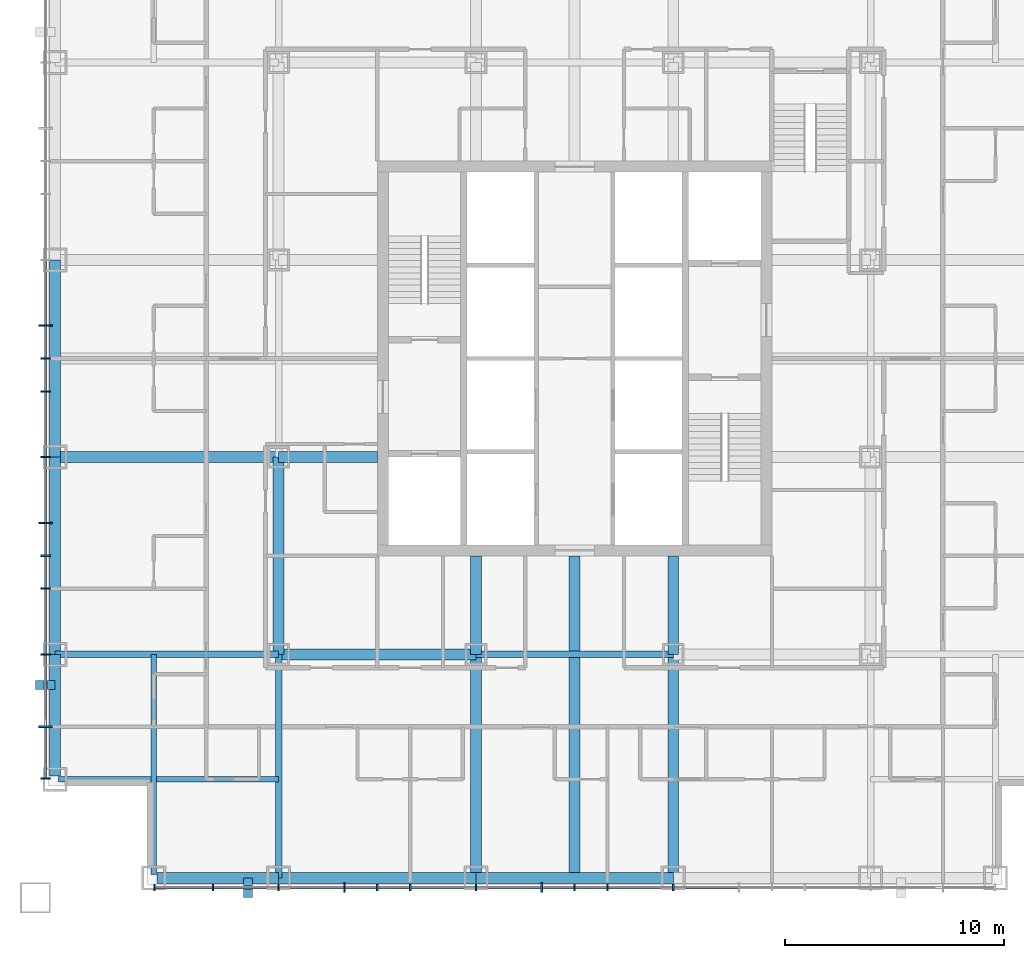
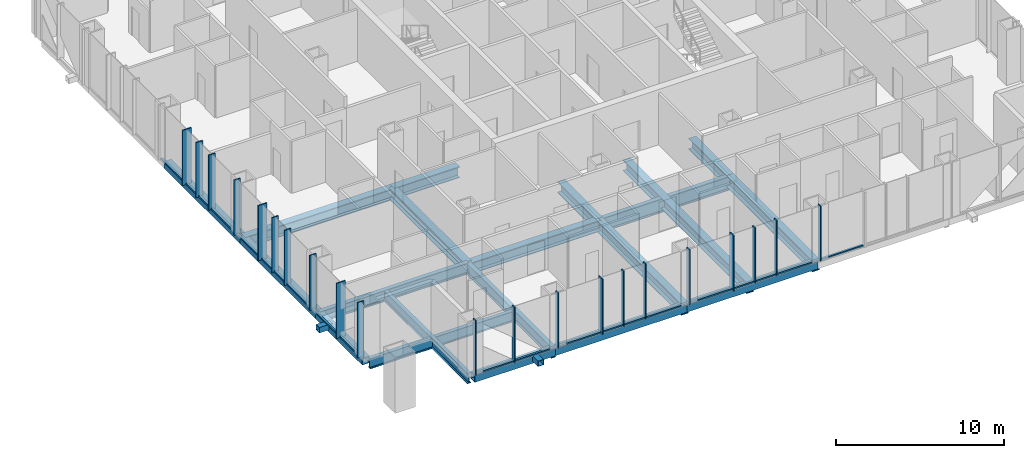
# One storey, part 2 of 18: 44 members, 20 beams, 2 elements without a shape of their own.
"""IFC4 building model written with IfcOpenShell, lengths in metres."""

from ifc_helpers import new_model, si_unit, direction, frame, origin, origin_2d, place, context, subcontext, project, spatial, rectangle, hollow_rectangle, i_section, extrude, material, layer, layer_set, material_profile, profile_set, type_object, element, aggregate, save


model = new_model("IFC4")

# Units and contexts
model_context = context("Model", 3, precision=1e-05, world=origin(), true_north=direction((0.0, 1.0)))
body_context = subcontext(model_context, "Body", "Model", "MODEL_VIEW")
ifc_project = project(units=[si_unit("LENGTHUNIT", "METRE"), si_unit("AREAUNIT", "SQUARE_METRE"), si_unit("VOLUMEUNIT", "CUBIC_METRE"), si_unit("PLANEANGLEUNIT", "RADIAN"), si_unit("MASSUNIT", "GRAM", prefix="KILO")], contexts=[model_context])

# Site, building, storey
site_placement = place(None, origin())
site = spatial("IfcSite", under=ifc_project, at=site_placement, CompositionType="ELEMENT")
building_placement = place(site_placement, origin())
building = spatial("IfcBuilding", under=site, at=building_placement, Name="Malebo Sky Hospital", CompositionType="ELEMENT")
storey_placement = place(building_placement, frame((0.0, 0.0, 132.0)))
storey = spatial("IfcBuildingStorey", under=building, at=storey_placement, Name="L31", CompositionType="ELEMENT", Elevation=132.0)

# Curtain wall, members
ifc_material_1 = material(Name="Anodised aluminium, natural silver", Category="aluminium")
ifc_layer_1 = layer(ifc_material_1, 0.25)
ifc_layer_set_1 = layer_set([ifc_layer_1], Name="WARD CURTAIN WALL EAST AND WEST")
curtain_wall_type_1 = type_object("IfcCurtainWallType", Name="WARD CURTAIN WALL EAST AND WEST", PredefinedType="NOTDEFINED", material=ifc_layer_set_1)
curtain_wall_1_placement = place(storey_placement, origin())
curtain_wall_1 = element("IfcCurtainWall", 1, at=curtain_wall_1_placement, inside=storey, type_object=curtain_wall_type_1, Name="EW curtain wall W", PredefinedType="NOTDEFINED")
ifc_material_profile_1 = material_profile(ifc_material_1, rectangle(XDim=0.14990234375, YDim=0.10009765625, at=origin_2d()), Name="ALUMINIUM TRANSOM 150x100")
ifc_profile_set_1 = profile_set([ifc_material_profile_1], Name="Anodised aluminium, natural silver")
member_type_1 = type_object("IfcMemberType", Name="ALUMINIUM TRANSOM 150x100", PredefinedType="USERDEFINED", material=ifc_profile_set_1)
member_1_placement = place(storey_placement, frame((35.864990234375, 42.875, 0.050048828125), z_axis=(0.0, 1.0, 0.0), x_axis=(-1.0, 0.0, 0.0)))
member_1 = element("IfcMember", 2, at=member_1_placement, type_object=member_type_1, Name="Transom 1", ObjectType="TRANSOM", PredefinedType="USERDEFINED", context=body_context, shape_type="SweptSolid", body=[
    extrude(rectangle(XDim=0.14990234375, YDim=0.10009765625, at=origin_2d()), origin(), (0.0, 0.0, 1.0), 2.28759765625),
])
member_2_placement = place(storey_placement, frame((35.864990234375, 45.237548828125, 0.050048828125), z_axis=(0.0, 1.0, 0.0), x_axis=(-1.0, 0.0, 0.0)))
member_2 = element("IfcMember", 3, at=member_2_placement, type_object=member_type_1, Name="Transom 2", ObjectType="TRANSOM", PredefinedType="USERDEFINED", context=body_context, shape_type="SweptSolid", body=[
    extrude(rectangle(XDim=0.14990234375, YDim=0.10009765625, at=origin_2d()), origin(), (0.0, 0.0, 1.0), 3.224853515625),
])
member_3_placement = place(storey_placement, frame((35.864990234375, 48.53759765625, 0.050048828125), z_axis=(0.0, 1.0, 0.0), x_axis=(-1.0, 0.0, 0.0)))
member_3 = element("IfcMember", 4, at=member_3_placement, type_object=member_type_1, Name="Transom 3", ObjectType="TRANSOM", PredefinedType="USERDEFINED", context=body_context, shape_type="SweptSolid", body=[
    extrude(rectangle(XDim=0.14990234375, YDim=0.10009765625, at=origin_2d()), origin(), (0.0, 0.0, 1.0), 2.9248046875),
])
member_4_placement = place(storey_placement, frame((35.864990234375, 51.53759765625, 0.050048828125), z_axis=(0.0, 1.0, 0.0), x_axis=(-1.0, 0.0, 0.0)))
member_4 = element("IfcMember", 5, at=member_4_placement, type_object=member_type_1, Name="Transom 4", ObjectType="TRANSOM", PredefinedType="USERDEFINED", context=body_context, shape_type="SweptSolid", body=[
    extrude(rectangle(XDim=0.14990234375, YDim=0.10009765625, at=origin_2d()), origin(), (0.0, 0.0, 1.0), 1.4248046875),
])
member_5_placement = place(storey_placement, frame((35.864990234375, 53.03759765625, 0.050048828125), z_axis=(0.0, 1.0, 0.0), x_axis=(-1.0, 0.0, 0.0)))
member_5 = element("IfcMember", 6, at=member_5_placement, type_object=member_type_1, Name="Transom 5", ObjectType="TRANSOM", PredefinedType="USERDEFINED", context=body_context, shape_type="SweptSolid", body=[
    extrude(rectangle(XDim=0.14990234375, YDim=0.10009765625, at=origin_2d()), origin(), (0.0, 0.0, 1.0), 1.4248046875),
])
member_6_placement = place(storey_placement, frame((35.864990234375, 54.53759765625, 0.050048828125), z_axis=(0.0, 1.0, 0.0), x_axis=(-1.0, 0.0, 0.0)))
member_6 = element("IfcMember", 7, at=member_6_placement, type_object=member_type_1, Name="Transom 6", ObjectType="TRANSOM", PredefinedType="USERDEFINED", context=body_context, shape_type="SweptSolid", body=[
    extrude(rectangle(XDim=0.14990234375, YDim=0.10009765625, at=origin_2d()), origin(), (0.0, 0.0, 1.0), 2.9248046875),
])
member_7_placement = place(storey_placement, frame((35.864990234375, 57.53759765625, 0.050048828125), z_axis=(0.0, 1.0, 0.0), x_axis=(-1.0, 0.0, 0.0)))
member_7 = element("IfcMember", 8, at=member_7_placement, type_object=member_type_1, Name="Transom 7", ObjectType="TRANSOM", PredefinedType="USERDEFINED", context=body_context, shape_type="SweptSolid", body=[
    extrude(rectangle(XDim=0.14990234375, YDim=0.10009765625, at=origin_2d()), origin(), (0.0, 0.0, 1.0), 2.9248046875),
])
member_8_placement = place(storey_placement, frame((35.864990234375, 60.53759765625, 0.050048828125), z_axis=(0.0, 1.0, 0.0), x_axis=(-1.0, 0.0, 0.0)))
member_8 = element("IfcMember", 9, at=member_8_placement, type_object=member_type_1, Name="Transom 8", ObjectType="TRANSOM", PredefinedType="USERDEFINED", context=body_context, shape_type="SweptSolid", body=[
    extrude(rectangle(XDim=0.14990234375, YDim=0.10009765625, at=origin_2d()), origin(), (0.0, 0.0, 1.0), 1.4248046875),
])
member_9_placement = place(storey_placement, frame((35.864990234375, 62.03759765625, 0.050048828125), z_axis=(0.0, 1.0, 0.0), x_axis=(-1.0, 0.0, 0.0)))
member_9 = element("IfcMember", 10, at=member_9_placement, type_object=member_type_1, Name="Transom 9", ObjectType="TRANSOM", PredefinedType="USERDEFINED", context=body_context, shape_type="SweptSolid", body=[
    extrude(rectangle(XDim=0.14990234375, YDim=0.10009765625, at=origin_2d()), origin(), (0.0, 0.0, 1.0), 1.4248046875),
])
member_10_placement = place(storey_placement, frame((35.864990234375, 63.53759765625, 0.050048828125), z_axis=(0.0, 1.0, 0.0), x_axis=(-1.0, 0.0, 0.0)))
member_10 = element("IfcMember", 11, at=member_10_placement, type_object=member_type_1, Name="Transom 10", ObjectType="TRANSOM", PredefinedType="USERDEFINED", context=body_context, shape_type="SweptSolid", body=[
    extrude(rectangle(XDim=0.14990234375, YDim=0.10009765625, at=origin_2d()), origin(), (0.0, 0.0, 1.0), 2.9248046875),
])

ifc_layer_2 = layer(ifc_material_1, 0.25)
ifc_layer_set_2 = layer_set([ifc_layer_2], Name="WARD CURTAIN WALL NORTH AND SOUTH")
curtain_wall_type_2 = type_object("IfcCurtainWallType", Name="WARD CURTAIN WALL NORTH AND SOUTH", PredefinedType="NOTDEFINED", material=ifc_layer_set_2)
curtain_wall_2_placement = place(storey_placement, origin())
curtain_wall_2 = element("IfcCurtainWall", 12, at=curtain_wall_2_placement, inside=storey, type_object=curtain_wall_type_2, Name="NS curtain wall S", PredefinedType="NOTDEFINED")
member_11_placement = place(storey_placement, frame((67.46240234375, 37.864990234375, 0.050048828125), z_axis=(-1.0, 0.0, 0.0), x_axis=(0.0, -1.0, 0.0)))
member_11 = element("IfcMember", 13, at=member_11_placement, type_object=member_type_1, Name="Transom 6", ObjectType="TRANSOM", PredefinedType="USERDEFINED", context=body_context, shape_type="SweptSolid", body=[
    extrude(rectangle(XDim=0.14990234375, YDim=0.10009765625, at=origin_2d()), origin(), (0.0, 0.0, 1.0), 2.9248046875),
])
member_12_placement = place(storey_placement, frame((64.46240234375, 37.864990234375, 0.050048828125), z_axis=(-1.0, 0.0, 0.0), x_axis=(0.0, -1.0, 0.0)))
member_12 = element("IfcMember", 14, at=member_12_placement, type_object=member_type_1, Name="Transom 7", ObjectType="TRANSOM", PredefinedType="USERDEFINED", context=body_context, shape_type="SweptSolid", body=[
    extrude(rectangle(XDim=0.14990234375, YDim=0.10009765625, at=origin_2d()), origin(), (0.0, 0.0, 1.0), 2.9248046875),
])
member_13_placement = place(storey_placement, frame((61.46240234375, 37.864990234375, 0.050048828125), z_axis=(-1.0, 0.0, 0.0), x_axis=(0.0, -1.0, 0.0)))
member_13 = element("IfcMember", 15, at=member_13_placement, type_object=member_type_1, Name="Transom 8", ObjectType="TRANSOM", PredefinedType="USERDEFINED", context=body_context, shape_type="SweptSolid", body=[
    extrude(rectangle(XDim=0.14990234375, YDim=0.10009765625, at=origin_2d()), origin(), (0.0, 0.0, 1.0), 1.4248046875),
])
member_14_placement = place(storey_placement, frame((59.96240234375, 37.864990234375, 0.050048828125), z_axis=(-1.0, 0.0, 0.0), x_axis=(0.0, -1.0, 0.0)))
member_14 = element("IfcMember", 16, at=member_14_placement, type_object=member_type_1, Name="Transom 9", ObjectType="TRANSOM", PredefinedType="USERDEFINED", context=body_context, shape_type="SweptSolid", body=[
    extrude(rectangle(XDim=0.14990234375, YDim=0.10009765625, at=origin_2d()), origin(), (0.0, 0.0, 1.0), 1.4248046875),
])
member_15_placement = place(storey_placement, frame((58.46240234375, 37.864990234375, 0.050048828125), z_axis=(-1.0, 0.0, 0.0), x_axis=(0.0, -1.0, 0.0)))
member_15 = element("IfcMember", 17, at=member_15_placement, type_object=member_type_1, Name="Transom 10", ObjectType="TRANSOM", PredefinedType="USERDEFINED", context=body_context, shape_type="SweptSolid", body=[
    extrude(rectangle(XDim=0.14990234375, YDim=0.10009765625, at=origin_2d()), origin(), (0.0, 0.0, 1.0), 2.9248046875),
])
member_16_placement = place(storey_placement, frame((55.46240234375, 37.864990234375, 0.050048828125), z_axis=(-1.0, 0.0, 0.0), x_axis=(0.0, -1.0, 0.0)))
member_16 = element("IfcMember", 18, at=member_16_placement, type_object=member_type_1, Name="Transom 11", ObjectType="TRANSOM", PredefinedType="USERDEFINED", context=body_context, shape_type="SweptSolid", body=[
    extrude(rectangle(XDim=0.14990234375, YDim=0.10009765625, at=origin_2d()), origin(), (0.0, 0.0, 1.0), 2.9248046875),
])
member_17_placement = place(storey_placement, frame((52.46240234375, 37.864990234375, 0.050048828125), z_axis=(-1.0, 0.0, 0.0), x_axis=(0.0, -1.0, 0.0)))
member_17 = element("IfcMember", 19, at=member_17_placement, type_object=member_type_1, Name="Transom 12", ObjectType="TRANSOM", PredefinedType="USERDEFINED", context=body_context, shape_type="SweptSolid", body=[
    extrude(rectangle(XDim=0.14990234375, YDim=0.10009765625, at=origin_2d()), origin(), (0.0, 0.0, 1.0), 1.4248046875),
])
member_18_placement = place(storey_placement, frame((50.96240234375, 37.864990234375, 0.050048828125), z_axis=(-1.0, 0.0, 0.0), x_axis=(0.0, -1.0, 0.0)))
member_18 = element("IfcMember", 20, at=member_18_placement, type_object=member_type_1, Name="Transom 13", ObjectType="TRANSOM", PredefinedType="USERDEFINED", context=body_context, shape_type="SweptSolid", body=[
    extrude(rectangle(XDim=0.14990234375, YDim=0.10009765625, at=origin_2d()), origin(), (0.0, 0.0, 1.0), 1.4248046875),
])
member_19_placement = place(storey_placement, frame((49.46240234375, 37.864990234375, 0.050048828125), z_axis=(-1.0, 0.0, 0.0), x_axis=(0.0, -1.0, 0.0)))
member_19 = element("IfcMember", 21, at=member_19_placement, type_object=member_type_1, Name="Transom 14", ObjectType="TRANSOM", PredefinedType="USERDEFINED", context=body_context, shape_type="SweptSolid", body=[
    extrude(rectangle(XDim=0.14990234375, YDim=0.10009765625, at=origin_2d()), origin(), (0.0, 0.0, 1.0), 2.9248046875),
])
member_20_placement = place(storey_placement, frame((46.46240234375, 37.864990234375, 0.050048828125), z_axis=(-1.0, 0.0, 0.0), x_axis=(0.0, -1.0, 0.0)))
member_20 = element("IfcMember", 22, at=member_20_placement, type_object=member_type_1, Name="Transom 15", ObjectType="TRANSOM", PredefinedType="USERDEFINED", context=body_context, shape_type="SweptSolid", body=[
    extrude(rectangle(XDim=0.14990234375, YDim=0.10009765625, at=origin_2d()), origin(), (0.0, 0.0, 1.0), 2.9248046875),
])
member_21_placement = place(storey_placement, frame((43.46240234375, 37.864990234375, 0.050048828125), z_axis=(-1.0, 0.0, 0.0), x_axis=(0.0, -1.0, 0.0)))
member_21 = element("IfcMember", 23, at=member_21_placement, type_object=member_type_1, Name="Transom 16", ObjectType="TRANSOM", PredefinedType="USERDEFINED", context=body_context, shape_type="SweptSolid", body=[
    extrude(rectangle(XDim=0.14990234375, YDim=0.10009765625, at=origin_2d()), origin(), (0.0, 0.0, 1.0), 2.58740234375),
])

# Members
ifc_material_2 = material(Name="Steel S355", Category="steel")
ifc_material_profile_2 = material_profile(ifc_material_2, hollow_rectangle(XDim=0.39990234375, YDim=0.39990234375, WallThickness=0.02001953125, at=origin_2d()), Name="SHS 400x20")
ifc_profile_set_2 = profile_set([ifc_material_profile_2], Name="Steel S355")
member_type_2 = type_object("IfcMemberType", Name="BRACE STRUT SHS 400x20", PredefinedType="STRUT", material=ifc_profile_set_2)
for number, where, z_axis, x_axis, name in (
    (24, (45.1064453125, 37.39990234375, -0.39990234375), (0.0, 1.0, 0.0), (-1.0, 0.0, 0.0), "Brace strut BS2 L31"),
    (25, (35.39990234375, 47.1064453125, -0.39990234375), (1.0, 0.0, 0.0), (0.0, 1.0, 0.0), "Brace strut BW1 L31"),
):
    element("IfcMember", number, at=place(storey_placement, frame(where, z_axis=z_axis, x_axis=x_axis)), inside=storey, type_object=member_type_2, Name=name, PredefinedType="STRUT", context=body_context, shape_type="SweptSolid", body=[
        extrude(hollow_rectangle(XDim=0.39990234375, YDim=0.39990234375, WallThickness=0.02001953125, at=origin_2d()), origin(), (0.0, 0.0, 1.0), 0.900146484375),
    ])

# Member
ifc_material_profile_3 = material_profile(ifc_material_1, rectangle(XDim=0.074951171875, YDim=0.300048828125, at=origin_2d()), Name="CW1 ALUMINIUM FIN MULLION 75x300")
ifc_profile_set_3 = profile_set([ifc_material_profile_3], Name="Anodised aluminium, natural silver")
member_type_3 = type_object("IfcMemberType", Name="CW1 ALUMINIUM FIN MULLION 75x300", PredefinedType="MULLION", material=ifc_profile_set_3)
member_22_placement = place(storey_placement, frame((64.5, 37.864990234375, 0.0), z_axis=(0.0, 0.0, 1.0), x_axis=(-1.0, 0.0, 0.0)))
member_22 = element("IfcMember", 26, at=member_22_placement, type_object=member_type_3, Name="Fin mullion 7", PredefinedType="MULLION", context=body_context, shape_type="SweptSolid", body=[
    extrude(rectangle(XDim=0.074951171875, YDim=0.300048828125, at=origin_2d()), origin(), (0.0, 0.0, 1.0), 4.0),
])

member_23_placement = place(storey_placement, frame((61.5, 37.864990234375, 0.0), z_axis=(0.0, 0.0, 1.0), x_axis=(-1.0, 0.0, 0.0)))
member_23 = element("IfcMember", 27, at=member_23_placement, type_object=member_type_3, Name="Fin mullion 8", PredefinedType="MULLION", context=body_context, shape_type="SweptSolid", body=[
    extrude(rectangle(XDim=0.074951171875, YDim=0.300048828125, at=origin_2d()), origin(), (0.0, 0.0, 1.0), 4.0),
])

member_24_placement = place(storey_placement, frame((60.0, 37.864990234375, 0.0), z_axis=(0.0, 0.0, 1.0), x_axis=(-1.0, 0.0, 0.0)))
member_24 = element("IfcMember", 28, at=member_24_placement, type_object=member_type_3, Name="Fin mullion 9", PredefinedType="MULLION", context=body_context, shape_type="SweptSolid", body=[
    extrude(rectangle(XDim=0.074951171875, YDim=0.300048828125, at=origin_2d()), origin(), (0.0, 0.0, 1.0), 4.0),
])

member_25_placement = place(storey_placement, frame((55.5, 37.864990234375, 0.0), z_axis=(0.0, 0.0, 1.0), x_axis=(-1.0, 0.0, 0.0)))
member_25 = element("IfcMember", 29, at=member_25_placement, type_object=member_type_3, Name="Fin mullion 11", PredefinedType="MULLION", context=body_context, shape_type="SweptSolid", body=[
    extrude(rectangle(XDim=0.074951171875, YDim=0.300048828125, at=origin_2d()), origin(), (0.0, 0.0, 1.0), 4.0),
])

member_26_placement = place(storey_placement, frame((52.5, 37.864990234375, 0.0), z_axis=(0.0, 0.0, 1.0), x_axis=(-1.0, 0.0, 0.0)))
member_26 = element("IfcMember", 30, at=member_26_placement, type_object=member_type_3, Name="Fin mullion 12", PredefinedType="MULLION", context=body_context, shape_type="SweptSolid", body=[
    extrude(rectangle(XDim=0.074951171875, YDim=0.300048828125, at=origin_2d()), origin(), (0.0, 0.0, 1.0), 4.0),
])

member_27_placement = place(storey_placement, frame((51.0, 37.864990234375, 0.0), z_axis=(0.0, 0.0, 1.0), x_axis=(-1.0, 0.0, 0.0)))
member_27 = element("IfcMember", 31, at=member_27_placement, type_object=member_type_3, Name="Fin mullion 13", PredefinedType="MULLION", context=body_context, shape_type="SweptSolid", body=[
    extrude(rectangle(XDim=0.074951171875, YDim=0.300048828125, at=origin_2d()), origin(), (0.0, 0.0, 1.0), 4.0),
])

member_28_placement = place(storey_placement, frame((46.5, 37.864990234375, 0.0), z_axis=(0.0, 0.0, 1.0), x_axis=(-1.0, 0.0, 0.0)))
member_28 = element("IfcMember", 32, at=member_28_placement, type_object=member_type_3, Name="Fin mullion 15", PredefinedType="MULLION", context=body_context, shape_type="SweptSolid", body=[
    extrude(rectangle(XDim=0.074951171875, YDim=0.300048828125, at=origin_2d()), origin(), (0.0, 0.0, 1.0), 4.0),
])

member_29_placement = place(storey_placement, frame((43.5, 37.864990234375, 0.0), z_axis=(0.0, 0.0, 1.0), x_axis=(-1.0, 0.0, 0.0)))
member_29 = element("IfcMember", 33, at=member_29_placement, type_object=member_type_3, Name="Fin mullion 16", PredefinedType="MULLION", context=body_context, shape_type="SweptSolid", body=[
    extrude(rectangle(XDim=0.074951171875, YDim=0.300048828125, at=origin_2d()), origin(), (0.0, 0.0, 1.0), 4.0),
])

member_30_placement = place(storey_placement, frame((40.83740234375, 37.864990234375, 0.0), z_axis=(0.0, 0.0, 1.0), x_axis=(-1.0, 0.0, 0.0)))
member_30 = element("IfcMember", 34, at=member_30_placement, type_object=member_type_3, Name="Fin mullion 17", PredefinedType="MULLION", context=body_context, shape_type="SweptSolid", body=[
    extrude(rectangle(XDim=0.074951171875, YDim=0.300048828125, at=origin_2d()), origin(), (0.0, 0.0, 1.0), 4.0),
])

ifc_material_profile_4 = material_profile(ifc_material_1, rectangle(XDim=0.074951171875, YDim=0.449951171875, at=origin_2d()), Name="CW1 ALUMINIUM FIN MULLION 75x450")
ifc_profile_set_4 = profile_set([ifc_material_profile_4], Name="Anodised aluminium, natural silver")
member_type_4 = type_object("IfcMemberType", Name="CW1 ALUMINIUM FIN MULLION 75x450", PredefinedType="MULLION", material=ifc_profile_set_4)
member_31_placement = place(storey_placement, frame((58.5, 37.864990234375, 0.0), z_axis=(0.0, 0.0, 1.0), x_axis=(-1.0, 0.0, 0.0)))
member_31 = element("IfcMember", 35, at=member_31_placement, type_object=member_type_4, Name="Fin mullion 10", PredefinedType="MULLION", context=body_context, shape_type="SweptSolid", body=[
    extrude(rectangle(XDim=0.074951171875, YDim=0.449951171875, at=origin_2d()), origin(), (0.0, 0.0, 1.0), 4.0),
])

member_32_placement = place(storey_placement, frame((49.5, 37.864990234375, 0.0), z_axis=(0.0, 0.0, 1.0), x_axis=(-1.0, 0.0, 0.0)))
member_32 = element("IfcMember", 36, at=member_32_placement, type_object=member_type_4, Name="Fin mullion 14", PredefinedType="MULLION", context=body_context, shape_type="SweptSolid", body=[
    extrude(rectangle(XDim=0.074951171875, YDim=0.449951171875, at=origin_2d()), origin(), (0.0, 0.0, 1.0), 4.0),
])

aggregate(curtain_wall_2, [member_22, member_23, member_24, member_31, member_25, member_26, member_27, member_32, member_28, member_29, member_30, member_11, member_12, member_13, member_14, member_15, member_16, member_17, member_18, member_19, member_20, member_21])

ifc_material_profile_5 = material_profile(ifc_material_1, rectangle(XDim=0.074951171875, YDim=0.449951171875, at=origin_2d()), Name="CW2 ALUMINIUM FIN MULLION 75x450")
ifc_profile_set_5 = profile_set([ifc_material_profile_5], Name="Anodised aluminium, natural silver")
member_type_5 = type_object("IfcMemberType", Name="CW2 ALUMINIUM FIN MULLION 75x450", PredefinedType="MULLION", material=ifc_profile_set_5)
member_33_placement = place(storey_placement, frame((35.864990234375, 42.83740234375, 0.0), z_axis=(0.0, 0.0, 1.0), x_axis=(0.0, 1.0, 0.0)))
member_33 = element("IfcMember", 37, at=member_33_placement, type_object=member_type_5, Name="Fin mullion 1", PredefinedType="MULLION", context=body_context, shape_type="SweptSolid", body=[
    extrude(rectangle(XDim=0.074951171875, YDim=0.449951171875, at=origin_2d()), origin(), (0.0, 0.0, 1.0), 4.0),
])

member_34_placement = place(storey_placement, frame((35.864990234375, 48.5, 0.0), z_axis=(0.0, 0.0, 1.0), x_axis=(0.0, 1.0, 0.0)))
member_34 = element("IfcMember", 38, at=member_34_placement, type_object=member_type_5, Name="Fin mullion 3", PredefinedType="MULLION", context=body_context, shape_type="SweptSolid", body=[
    extrude(rectangle(XDim=0.074951171875, YDim=0.449951171875, at=origin_2d()), origin(), (0.0, 0.0, 1.0), 4.0),
])

member_35_placement = place(storey_placement, frame((35.864990234375, 51.5, 0.0), z_axis=(0.0, 0.0, 1.0), x_axis=(0.0, 1.0, 0.0)))
member_35 = element("IfcMember", 39, at=member_35_placement, type_object=member_type_5, Name="Fin mullion 4", PredefinedType="MULLION", context=body_context, shape_type="SweptSolid", body=[
    extrude(rectangle(XDim=0.074951171875, YDim=0.449951171875, at=origin_2d()), origin(), (0.0, 0.0, 1.0), 4.0),
])

member_36_placement = place(storey_placement, frame((35.864990234375, 53.0, 0.0), z_axis=(0.0, 0.0, 1.0), x_axis=(0.0, 1.0, 0.0)))
member_36 = element("IfcMember", 40, at=member_36_placement, type_object=member_type_5, Name="Fin mullion 5", PredefinedType="MULLION", context=body_context, shape_type="SweptSolid", body=[
    extrude(rectangle(XDim=0.074951171875, YDim=0.449951171875, at=origin_2d()), origin(), (0.0, 0.0, 1.0), 4.0),
])

member_37_placement = place(storey_placement, frame((35.864990234375, 57.5, 0.0), z_axis=(0.0, 0.0, 1.0), x_axis=(0.0, 1.0, 0.0)))
member_37 = element("IfcMember", 41, at=member_37_placement, type_object=member_type_5, Name="Fin mullion 7", PredefinedType="MULLION", context=body_context, shape_type="SweptSolid", body=[
    extrude(rectangle(XDim=0.074951171875, YDim=0.449951171875, at=origin_2d()), origin(), (0.0, 0.0, 1.0), 4.0),
])

member_38_placement = place(storey_placement, frame((35.864990234375, 60.5, 0.0), z_axis=(0.0, 0.0, 1.0), x_axis=(0.0, 1.0, 0.0)))
member_38 = element("IfcMember", 42, at=member_38_placement, type_object=member_type_5, Name="Fin mullion 8", PredefinedType="MULLION", context=body_context, shape_type="SweptSolid", body=[
    extrude(rectangle(XDim=0.074951171875, YDim=0.449951171875, at=origin_2d()), origin(), (0.0, 0.0, 1.0), 4.0),
])

member_39_placement = place(storey_placement, frame((35.864990234375, 62.0, 0.0), z_axis=(0.0, 0.0, 1.0), x_axis=(0.0, 1.0, 0.0)))
member_39 = element("IfcMember", 43, at=member_39_placement, type_object=member_type_5, Name="Fin mullion 9", PredefinedType="MULLION", context=body_context, shape_type="SweptSolid", body=[
    extrude(rectangle(XDim=0.074951171875, YDim=0.449951171875, at=origin_2d()), origin(), (0.0, 0.0, 1.0), 4.0),
])

ifc_material_profile_6 = material_profile(ifc_material_1, rectangle(XDim=0.074951171875, YDim=0.60009765625, at=origin_2d()), Name="CW2 ALUMINIUM FIN MULLION 75x600")
ifc_profile_set_6 = profile_set([ifc_material_profile_6], Name="Anodised aluminium, natural silver")
member_type_6 = type_object("IfcMemberType", Name="CW2 ALUMINIUM FIN MULLION 75x600", PredefinedType="MULLION", material=ifc_profile_set_6)
member_40_placement = place(storey_placement, frame((35.864990234375, 45.199951171875, 0.0), z_axis=(0.0, 0.0, 1.0), x_axis=(0.0, 1.0, 0.0)))
member_40 = element("IfcMember", 44, at=member_40_placement, type_object=member_type_6, Name="Fin mullion 2", PredefinedType="MULLION", context=body_context, shape_type="SweptSolid", body=[
    extrude(rectangle(XDim=0.074951171875, YDim=0.60009765625, at=origin_2d()), origin(), (0.0, 0.0, 1.0), 4.0),
])

member_41_placement = place(storey_placement, frame((35.864990234375, 54.5, 0.0), z_axis=(0.0, 0.0, 1.0), x_axis=(0.0, 1.0, 0.0)))
member_41 = element("IfcMember", 45, at=member_41_placement, type_object=member_type_6, Name="Fin mullion 6", PredefinedType="MULLION", context=body_context, shape_type="SweptSolid", body=[
    extrude(rectangle(XDim=0.074951171875, YDim=0.60009765625, at=origin_2d()), origin(), (0.0, 0.0, 1.0), 4.0),
])

member_42_placement = place(storey_placement, frame((35.864990234375, 63.5, 0.0), z_axis=(0.0, 0.0, 1.0), x_axis=(0.0, 1.0, 0.0)))
member_42 = element("IfcMember", 46, at=member_42_placement, type_object=member_type_6, Name="Fin mullion 10", PredefinedType="MULLION", context=body_context, shape_type="SweptSolid", body=[
    extrude(rectangle(XDim=0.074951171875, YDim=0.60009765625, at=origin_2d()), origin(), (0.0, 0.0, 1.0), 4.0),
])

aggregate(curtain_wall_1, [member_33, member_40, member_34, member_35, member_36, member_41, member_37, member_38, member_39, member_42, member_1, member_2, member_3, member_4, member_5, member_6, member_7, member_8, member_9, member_10])

# Beams
ifc_material_3 = material(Name="Steel S460", Category="steel")
ifc_material_profile_7 = material_profile(ifc_material_3, hollow_rectangle(XDim=0.5, YDim=0.5, WallThickness=0.030029296875, at=origin_2d()), Name="BOX 500x500x30")
ifc_profile_set_7 = profile_set([ifc_material_profile_7], Name="Steel S460")
beam_type_1 = type_object("IfcBeamType", Name="EDGE BEAM BOX 500x500x30", PredefinedType="BEAM", material=ifc_profile_set_7)
beam_1_placement = place(storey_placement, frame((36.300048828125, 42.949951171875, -0.5), z_axis=(0.0, 1.0, 0.0), x_axis=(-1.0, 0.0, 0.0)))
element("IfcBeam", 47, at=beam_1_placement, inside=storey, type_object=beam_type_1, Name="Beam 000 L31", PredefinedType="BEAM", context=body_context, shape_type="SweptSolid", body=[
    extrude(hollow_rectangle(XDim=0.5, YDim=0.5, WallThickness=0.030029296875, at=origin_2d()), origin(), (0.0, 0.0, 1.0), 5.550048828125),
])
for number, where, z_axis, x_axis, name in (
    (48, (36.300048828125, 48.5, -0.5), (0.0, 1.0, 0.0), (-1.0, 0.0, 0.0), "Beam 001 L31"),
    (49, (36.300048828125, 57.5, -0.5), (0.0, 1.0, 0.0), (-1.0, 0.0, 0.0), "Beam 002 L31"),
):
    element("IfcBeam", number, at=place(storey_placement, frame(where, z_axis=z_axis, x_axis=x_axis)), inside=storey, type_object=beam_type_1, Name=name, PredefinedType="BEAM", context=body_context, shape_type="SweptSolid", body=[
        extrude(hollow_rectangle(XDim=0.5, YDim=0.5, WallThickness=0.030029296875, at=origin_2d()), origin(), (0.0, 0.0, 1.0), 9.0),
    ])
beam_2_placement = place(storey_placement, frame((40.949951171875, 38.300048828125, -0.5), z_axis=(1.0, 0.0, 0.0), x_axis=(0.0, 1.0, 0.0)))
element("IfcBeam", 50, at=beam_2_placement, inside=storey, type_object=beam_type_1, Name="Beam 034 L31", PredefinedType="BEAM", context=body_context, shape_type="SweptSolid", body=[
    extrude(hollow_rectangle(XDim=0.5, YDim=0.5, WallThickness=0.030029296875, at=origin_2d()), origin(), (0.0, 0.0, 1.0), 5.550048828125),
])
for number, where, z_axis, x_axis, name in (
    (51, (46.5, 38.300048828125, -0.5), (1.0, 0.0, 0.0), (0.0, 1.0, 0.0), "Beam 035 L31"),
    (52, (55.5, 38.300048828125, -0.5), (1.0, 0.0, 0.0), (0.0, 1.0, 0.0), "Beam 036 L31"),
):
    element("IfcBeam", number, at=place(storey_placement, frame(where, z_axis=z_axis, x_axis=x_axis)), inside=storey, type_object=beam_type_1, Name=name, PredefinedType="BEAM", context=body_context, shape_type="SweptSolid", body=[
        extrude(hollow_rectangle(XDim=0.5, YDim=0.5, WallThickness=0.030029296875, at=origin_2d()), origin(), (0.0, 0.0, 1.0), 9.0),
    ])
ifc_material_profile_8 = material_profile(ifc_material_2, i_section(OverallWidth=0.262939453125, OverallDepth=0.7529296875, WebThickness=0.011474609375, FlangeThickness=0.01708984375, FilletRadius=0.01708984375, at=origin_2d()), Name="IPE 750x137")
ifc_profile_set_8 = profile_set([ifc_material_profile_8], Name="Steel S355")
beam_type_2 = type_object("IfcBeamType", Name="FLOOR BEAM IPE 750x137", PredefinedType="BEAM", material=ifc_profile_set_8)
for number, where, z_axis, x_axis, name in (
    (53, (40.800048828125, 38.449951171875, -0.62646484375), (0.0, 1.0, 0.0), (-1.0, 0.0, 0.0), "Beam 005 L31"),
    (54, (36.449951171875, 42.800048828125, -0.62646484375), (1.0, 0.0, 0.0), (0.0, 1.0, 0.0), "Beam 039 L31"),
):
    element("IfcBeam", number, at=place(storey_placement, frame(where, z_axis=z_axis, x_axis=x_axis)), inside=storey, type_object=beam_type_2, Name=name, PredefinedType="BEAM", context=body_context, shape_type="SweptSolid", body=[
        extrude(i_section(OverallWidth=0.262939453125, OverallDepth=0.7529296875, WebThickness=0.011474609375, FlangeThickness=0.01708984375, FilletRadius=0.01708984375, at=origin_2d()), origin(), (0.0, 0.0, 1.0), 10.050048828125),
    ])
ifc_material_profile_9 = material_profile(ifc_material_2, i_section(OverallWidth=0.5, OverallDepth=0.800048828125, WebThickness=0.030029296875, FlangeThickness=0.050048828125, at=origin_2d()), Name="PG 800x500x30x50")
ifc_profile_set_9 = profile_set([ifc_material_profile_9], Name="Steel S355")
beam_type_3 = type_object("IfcBeamType", Name="FLOOR BEAM PG 800x500x30x50", PredefinedType="BEAM", material=ifc_profile_set_9)
beam_3_placement = place(storey_placement, frame((46.5, 48.5, -0.64990234375), z_axis=(0.0, 1.0, 0.0), x_axis=(-1.0, 0.0, 0.0)))
element("IfcBeam", 55, at=beam_3_placement, inside=storey, type_object=beam_type_3, Name="Beam 008 L31", PredefinedType="BEAM", context=body_context, shape_type="SweptSolid", body=[
    extrude(i_section(OverallWidth=0.5, OverallDepth=0.800048828125, WebThickness=0.030029296875, FlangeThickness=0.050048828125, at=origin_2d()), origin(), (0.0, 0.0, 1.0), 9.0),
])
beam_4_placement = place(storey_placement, frame((55.5, 38.300048828125, -0.64990234375), z_axis=(0.0, 1.0, 0.0), x_axis=(-1.0, 0.0, 0.0)))
element("IfcBeam", 56, at=beam_4_placement, inside=storey, type_object=beam_type_3, Name="Beam 012 L31", PredefinedType="BEAM", context=body_context, shape_type="SweptSolid", body=[
    extrude(i_section(OverallWidth=0.5, OverallDepth=0.800048828125, WebThickness=0.030029296875, FlangeThickness=0.050048828125, at=origin_2d()), origin(), (0.0, 0.0, 1.0), 10.199951171875),
])
beam_5_placement = place(storey_placement, frame((55.5, 48.5, -0.64990234375), z_axis=(0.0, 1.0, 0.0), x_axis=(-1.0, 0.0, 0.0)))
element("IfcBeam", 57, at=beam_5_placement, inside=storey, type_object=beam_type_3, Name="Beam 013 L31", PredefinedType="BEAM", context=body_context, shape_type="SweptSolid", body=[
    extrude(i_section(OverallWidth=0.5, OverallDepth=0.800048828125, WebThickness=0.030029296875, FlangeThickness=0.050048828125, at=origin_2d()), origin(), (0.0, 0.0, 1.0), 4.5),
])
beam_6_placement = place(storey_placement, frame((60.0, 38.300048828125, -0.64990234375), z_axis=(0.0, 1.0, 0.0), x_axis=(-1.0, 0.0, 0.0)))
element("IfcBeam", 58, at=beam_6_placement, inside=storey, type_object=beam_type_3, Name="Beam 016 L31", PredefinedType="BEAM", context=body_context, shape_type="SweptSolid", body=[
    extrude(i_section(OverallWidth=0.5, OverallDepth=0.800048828125, WebThickness=0.030029296875, FlangeThickness=0.050048828125, at=origin_2d()), origin(), (0.0, 0.0, 1.0), 14.699951171875),
])
beam_7_placement = place(storey_placement, frame((64.5, 38.300048828125, -0.64990234375), z_axis=(0.0, 1.0, 0.0), x_axis=(-1.0, 0.0, 0.0)))
element("IfcBeam", 59, at=beam_7_placement, inside=storey, type_object=beam_type_3, Name="Beam 018 L31", PredefinedType="BEAM", context=body_context, shape_type="SweptSolid", body=[
    extrude(i_section(OverallWidth=0.5, OverallDepth=0.800048828125, WebThickness=0.030029296875, FlangeThickness=0.050048828125, at=origin_2d()), origin(), (0.0, 0.0, 1.0), 10.199951171875),
])
beam_8_placement = place(storey_placement, frame((64.5, 48.5, -0.64990234375), z_axis=(0.0, 1.0, 0.0), x_axis=(-1.0, 0.0, 0.0)))
element("IfcBeam", 60, at=beam_8_placement, inside=storey, type_object=beam_type_3, Name="Beam 019 L31", PredefinedType="BEAM", context=body_context, shape_type="SweptSolid", body=[
    extrude(i_section(OverallWidth=0.5, OverallDepth=0.800048828125, WebThickness=0.030029296875, FlangeThickness=0.050048828125, at=origin_2d()), origin(), (0.0, 0.0, 1.0), 4.5),
])
beam_9_placement = place(storey_placement, frame((46.5, 48.5, -0.64990234375), z_axis=(1.0, 0.0, 0.0), x_axis=(0.0, 1.0, 0.0)))
element("IfcBeam", 61, at=beam_9_placement, inside=storey, type_object=beam_type_3, Name="Beam 042 L31", PredefinedType="BEAM", context=body_context, shape_type="SweptSolid", body=[
    extrude(i_section(OverallWidth=0.5, OverallDepth=0.800048828125, WebThickness=0.030029296875, FlangeThickness=0.050048828125, at=origin_2d()), origin(), (0.0, 0.0, 1.0), 9.0),
])
beam_10_placement = place(storey_placement, frame((36.300048828125, 57.5, -0.64990234375), z_axis=(1.0, 0.0, 0.0), x_axis=(0.0, 1.0, 0.0)))
element("IfcBeam", 62, at=beam_10_placement, inside=storey, type_object=beam_type_3, Name="Beam 046 L31", PredefinedType="BEAM", context=body_context, shape_type="SweptSolid", body=[
    extrude(i_section(OverallWidth=0.5, OverallDepth=0.800048828125, WebThickness=0.030029296875, FlangeThickness=0.050048828125, at=origin_2d()), origin(), (0.0, 0.0, 1.0), 10.199951171875),
])
beam_11_placement = place(storey_placement, frame((46.5, 57.5, -0.64990234375), z_axis=(1.0, 0.0, 0.0), x_axis=(0.0, 1.0, 0.0)))
element("IfcBeam", 63, at=beam_11_placement, inside=storey, type_object=beam_type_3, Name="Beam 047 L31", PredefinedType="BEAM", context=body_context, shape_type="SweptSolid", body=[
    extrude(i_section(OverallWidth=0.5, OverallDepth=0.800048828125, WebThickness=0.030029296875, FlangeThickness=0.050048828125, at=origin_2d()), origin(), (0.0, 0.0, 1.0), 4.5),
])
ifc_material_profile_10 = material_profile(ifc_material_2, i_section(OverallWidth=0.300048828125, OverallDepth=0.800048828125, WebThickness=0.017578125, FlangeThickness=0.032958984375, FilletRadius=0.030029296875, at=origin_2d()), Name="HEB 800")
ifc_profile_set_10 = profile_set([ifc_material_profile_10], Name="Steel S355")
beam_type_4 = type_object("IfcBeamType", Name="FLOOR GIRDER HEB 800", PredefinedType="BEAM", material=ifc_profile_set_10)
for number, where, z_axis, x_axis, name in (
    (64, (46.5, 38.300048828125, -0.64990234375), (0.0, 1.0, 0.0), (-1.0, 0.0, 0.0), "Beam 007 L31"),
    (65, (36.300048828125, 48.5, -0.64990234375), (1.0, 0.0, 0.0), (0.0, 1.0, 0.0), "Beam 041 L31"),
):
    element("IfcBeam", number, at=place(storey_placement, frame(where, z_axis=z_axis, x_axis=x_axis)), inside=storey, type_object=beam_type_4, Name=name, PredefinedType="BEAM", context=body_context, shape_type="SweptSolid", body=[
        extrude(i_section(OverallWidth=0.300048828125, OverallDepth=0.800048828125, WebThickness=0.017578125, FlangeThickness=0.032958984375, FilletRadius=0.030029296875, at=origin_2d()), origin(), (0.0, 0.0, 1.0), 10.199951171875),
    ])
ifc_material_profile_11 = material_profile(ifc_material_2, i_section(OverallWidth=0.300048828125, OverallDepth=1.0, WebThickness=0.01904296875, FlangeThickness=0.035888671875, FilletRadius=0.030029296875, at=origin_2d()), Name="HEB 1000")
ifc_profile_set_11 = profile_set([ifc_material_profile_11], Name="Steel S355")
beam_type_5 = type_object("IfcBeamType", Name="RING GIRDER HEB 1000", PredefinedType="BEAM", material=ifc_profile_set_11)
beam_12_placement = place(storey_placement, frame((55.5, 48.5, -0.75), z_axis=(1.0, 0.0, 0.0), x_axis=(0.0, 1.0, 0.0)))
element("IfcBeam", 66, at=beam_12_placement, inside=storey, type_object=beam_type_5, Name="Beam 043 L31", PredefinedType="BEAM", context=body_context, shape_type="SweptSolid", body=[
    extrude(i_section(OverallWidth=0.300048828125, OverallDepth=1.0, WebThickness=0.01904296875, FlangeThickness=0.035888671875, FilletRadius=0.030029296875, at=origin_2d()), origin(), (0.0, 0.0, 1.0), 9.0),
])

save(model, "model.ifc")
